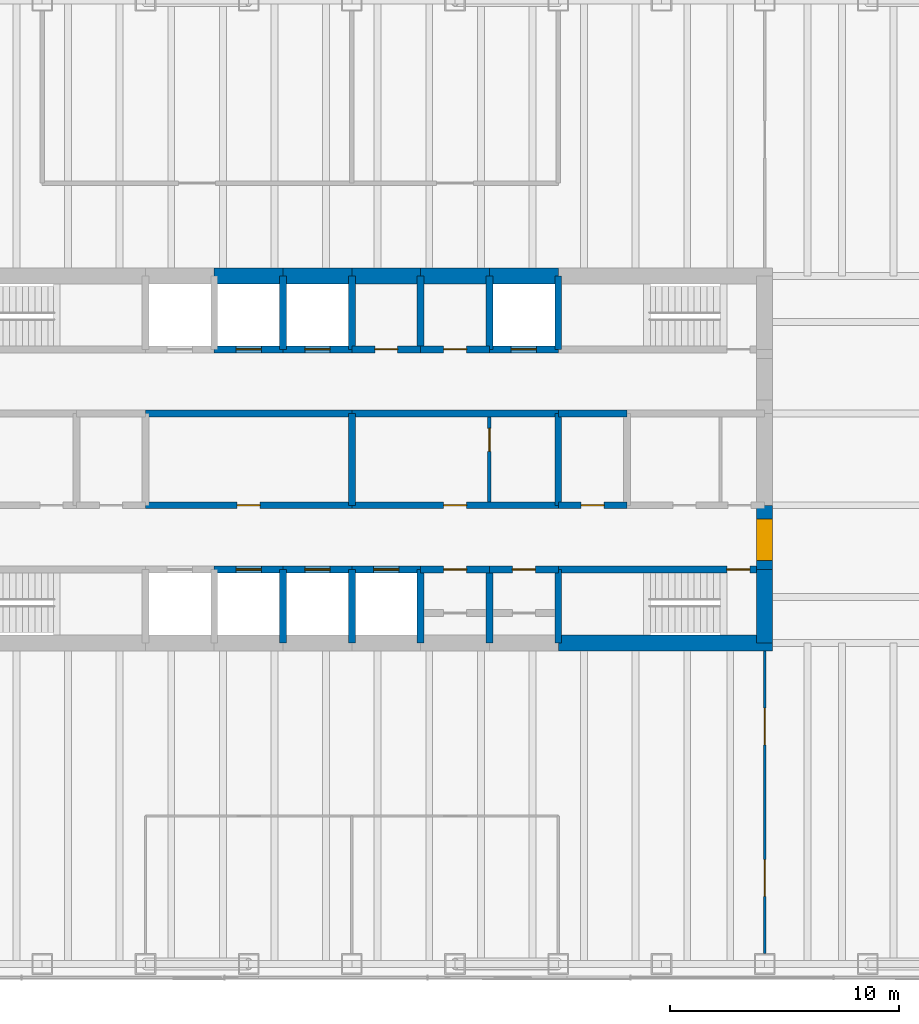
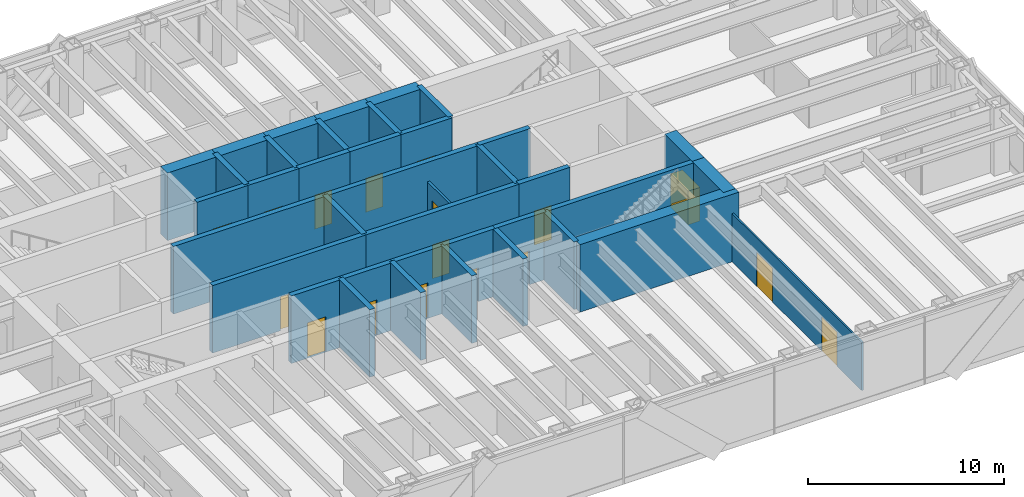
# One storey, part 12 of 15: 39 walls, 18 doors, 18 openings.
"""IFC4 building model written with IfcOpenShell, lengths in metres."""

from ifc_helpers import new_model, si_unit, direction, frame, frame_2d, origin, place, context, subcontext, project, spatial, rectangle, extrude, material, layer, layer_set, type_object, element, fill, save


model = new_model("IFC4")

# Units and contexts
model_context = context("Model", 3, precision=1e-05, world=origin(), true_north=direction((0.0, 1.0)))
body_context = subcontext(model_context, "Body", "Model", "MODEL_VIEW")
ifc_project = project(units=[si_unit("LENGTHUNIT", "METRE"), si_unit("AREAUNIT", "SQUARE_METRE"), si_unit("VOLUMEUNIT", "CUBIC_METRE"), si_unit("PLANEANGLEUNIT", "RADIAN"), si_unit("MASSUNIT", "GRAM", prefix="KILO")], contexts=[model_context])

# Site, building, storey
site_placement = place(None, origin())
site = spatial("IfcSite", under=ifc_project, at=site_placement, CompositionType="ELEMENT")
building_placement = place(site_placement, origin())
building = spatial("IfcBuilding", under=site, at=building_placement, Name="Rheinbord Bourse Tower", CompositionType="ELEMENT")
storey_placement = place(building_placement, frame((0.0, 0.0, 325.699951171875)))
storey = spatial("IfcBuildingStorey", under=building, at=storey_placement, Name="L74", CompositionType="ELEMENT", Elevation=325.699951171875)

# Wall, opening, door
ifc_material_1 = material(Name="Concrete C50/60", Category="concrete")
ifc_layer_1 = layer(ifc_material_1, 0.300048828125)
ifc_layer_set_1 = layer_set([ifc_layer_1], Name="CORE INNER WALL 300")
wall_type_1 = type_object("IfcWallType", Name="CORE INNER WALL 300", PredefinedType="SOLIDWALL", material=ifc_layer_set_1)
wall_1_placement = place(storey_placement, frame((30.0, 19.199951171875, 0.0), z_axis=(0.0, 0.0, 1.0), x_axis=(1.0, 0.0, 0.0)))
wall_1 = element("IfcWall", 1, at=wall_1_placement, inside=storey, type_object=wall_type_1, Name="Core wall A3 L74", PredefinedType="SOLIDWALL", context=body_context, shape_type="SweptSolid", body=[
    extrude(rectangle(XDim=3.0, YDim=0.300048828125, at=frame_2d((1.5, 0.0))), origin(), (0.0, 0.0, 1.0), 4.199951171875),
])
opening_1_placement = place(wall_1_placement, frame((0.949951171875, 0.0, 0.0)))
opening_1 = element("IfcOpeningElement", 2, at=opening_1_placement, cuts=wall_1, Name="Opening PD1", PredefinedType="OPENING", context=body_context, shape_type="SweptSolid", body=[
    extrude(rectangle(XDim=1.10009765625, YDim=2.199951171875, at=frame_2d((0.550048828125, 1.10009765625))), frame((0.0, 0.159912109375, 0.0), z_axis=(0.0, -1.0, 0.0), x_axis=(1.0, 0.0, 0.0)), (0.0, 0.0, 1.0), 0.320068359375),
])
ifc_material_2 = material(Name="Steel landing door", Category="steel")
door_type_1 = type_object("IfcDoorType", Name="LIFT LANDING DOOR 1100", OperationType="DOUBLE_DOOR_SLIDING", PredefinedType="USERDEFINED", material=ifc_material_2)
door_1_placement = place(opening_1_placement, origin())
door_1 = element("IfcDoor", 3, at=door_1_placement, inside=storey, type_object=door_type_1, Name="Lift landing door PD1 L74", ObjectType="LIFT LANDING DOOR", OperationType="DOUBLE_DOOR_SLIDING", OverallHeight=2.199951171875, OverallWidth=1.10009765625, PredefinedType="USERDEFINED", context=body_context, shape_type="SweptSolid", body=[
    extrude(rectangle(XDim=1.10009765625, YDim=2.199951171875, at=frame_2d((0.550048828125, 1.10009765625))), frame((0.0, 0.02490234375, 0.0), z_axis=(0.0, -1.0, 0.0), x_axis=(1.0, 0.0, 0.0)), (0.0, 0.0, 1.0), 0.050048828125),
])
fill(opening_1, door_1)

wall_2_placement = place(storey_placement, frame((33.0, 19.199951171875, 0.0), z_axis=(0.0, 0.0, 1.0), x_axis=(1.0, 0.0, 0.0)))
wall_2 = element("IfcWall", 4, at=wall_2_placement, inside=storey, type_object=wall_type_1, Name="Core wall A4 L74", PredefinedType="SOLIDWALL", context=body_context, shape_type="SweptSolid", body=[
    extrude(rectangle(XDim=3.0, YDim=0.300048828125, at=frame_2d((1.5, 0.0))), origin(), (0.0, 0.0, 1.0), 4.199951171875),
])
opening_2_placement = place(wall_2_placement, frame((0.949951171875, 0.0, 0.0)))
opening_2 = element("IfcOpeningElement", 5, at=opening_2_placement, cuts=wall_2, Name="Opening PD2", PredefinedType="OPENING", context=body_context, shape_type="SweptSolid", body=[
    extrude(rectangle(XDim=1.10009765625, YDim=2.199951171875, at=frame_2d((0.550048828125, 1.10009765625))), frame((0.0, 0.159912109375, 0.0), z_axis=(0.0, -1.0, 0.0), x_axis=(1.0, 0.0, 0.0)), (0.0, 0.0, 1.0), 0.320068359375),
])
door_2_placement = place(opening_2_placement, origin())
door_2 = element("IfcDoor", 6, at=door_2_placement, inside=storey, type_object=door_type_1, Name="Lift landing door PD2 L74", ObjectType="LIFT LANDING DOOR", OperationType="DOUBLE_DOOR_SLIDING", OverallHeight=2.199951171875, OverallWidth=1.10009765625, PredefinedType="USERDEFINED", context=body_context, shape_type="SweptSolid", body=[
    extrude(rectangle(XDim=1.10009765625, YDim=2.199951171875, at=frame_2d((0.550048828125, 1.10009765625))), frame((0.0, 0.02490234375, 0.0), z_axis=(0.0, -1.0, 0.0), x_axis=(1.0, 0.0, 0.0)), (0.0, 0.0, 1.0), 0.050048828125),
])
fill(opening_2, door_2)

wall_3_placement = place(storey_placement, frame((36.0, 19.199951171875, 0.0), z_axis=(0.0, 0.0, 1.0), x_axis=(1.0, 0.0, 0.0)))
wall_3 = element("IfcWall", 7, at=wall_3_placement, inside=storey, type_object=wall_type_1, Name="Core wall A5 L74", PredefinedType="SOLIDWALL", context=body_context, shape_type="SweptSolid", body=[
    extrude(rectangle(XDim=3.0, YDim=0.300048828125, at=frame_2d((1.5, 0.0))), origin(), (0.0, 0.0, 1.0), 4.199951171875),
])
opening_3_placement = place(wall_3_placement, frame((0.949951171875, 0.0, 0.0)))
opening_3 = element("IfcOpeningElement", 8, at=opening_3_placement, cuts=wall_3, Name="Opening PD3", PredefinedType="OPENING", context=body_context, shape_type="SweptSolid", body=[
    extrude(rectangle(XDim=1.10009765625, YDim=2.199951171875, at=frame_2d((0.550048828125, 1.10009765625))), frame((0.0, 0.159912109375, 0.0), z_axis=(0.0, -1.0, 0.0), x_axis=(1.0, 0.0, 0.0)), (0.0, 0.0, 1.0), 0.320068359375),
])
door_3_placement = place(opening_3_placement, origin())
door_3 = element("IfcDoor", 9, at=door_3_placement, inside=storey, type_object=door_type_1, Name="Lift landing door PD3 L74", ObjectType="LIFT LANDING DOOR", OperationType="DOUBLE_DOOR_SLIDING", OverallHeight=2.199951171875, OverallWidth=1.10009765625, PredefinedType="USERDEFINED", context=body_context, shape_type="SweptSolid", body=[
    extrude(rectangle(XDim=1.10009765625, YDim=2.199951171875, at=frame_2d((0.550048828125, 1.10009765625))), frame((0.0, 0.02490234375, 0.0), z_axis=(0.0, -1.0, 0.0), x_axis=(1.0, 0.0, 0.0)), (0.0, 0.0, 1.0), 0.050048828125),
])
fill(opening_3, door_3)

wall_4_placement = place(storey_placement, frame((39.0, 19.199951171875, 0.0), z_axis=(0.0, 0.0, 1.0), x_axis=(1.0, 0.0, 0.0)))
wall_4 = element("IfcWall", 10, at=wall_4_placement, inside=storey, type_object=wall_type_1, Name="Core wall A6 L74", PredefinedType="SOLIDWALL", context=body_context, shape_type="SweptSolid", body=[
    extrude(rectangle(XDim=3.0, YDim=0.300048828125, at=frame_2d((1.5, 0.0))), origin(), (0.0, 0.0, 1.0), 4.199951171875),
])
opening_4_placement = place(wall_4_placement, frame((1.0, 0.0, 0.0)))
opening_4 = element("IfcOpeningElement", 11, at=opening_4_placement, cuts=wall_4, Name="Opening 74R8", PredefinedType="OPENING", context=body_context, shape_type="SweptSolid", body=[
    extrude(rectangle(XDim=1.0, YDim=2.10009765625, at=frame_2d((0.5, 1.050048828125))), frame((0.0, 0.159912109375, 0.0), z_axis=(0.0, -1.0, 0.0), x_axis=(1.0, 0.0, 0.0)), (0.0, 0.0, 1.0), 0.320068359375),
])
ifc_material_3 = material(Name="Steel door", Category="steel")
door_type_2 = type_object("IfcDoorType", Name="DOOR 1000 EI30", OperationType="SINGLE_SWING_LEFT", PredefinedType="DOOR", material=ifc_material_3)
door_4_placement = place(opening_4_placement, origin())
door_4 = element("IfcDoor", 12, at=door_4_placement, inside=storey, type_object=door_type_2, Name="Pantry door L74", OperationType="SINGLE_SWING_LEFT", OverallHeight=2.10009765625, OverallWidth=1.0, PredefinedType="DOOR", context=body_context, shape_type="SweptSolid", body=[
    extrude(rectangle(XDim=1.0, YDim=2.10009765625, at=frame_2d((0.5, 1.050048828125))), frame((0.0, 0.02490234375, 0.0), z_axis=(0.0, -1.0, 0.0), x_axis=(1.0, 0.0, 0.0)), (0.0, 0.0, 1.0), 0.050048828125),
])
fill(opening_4, door_4)

wall_5_placement = place(storey_placement, frame((42.0, 19.199951171875, 0.0), z_axis=(0.0, 0.0, 1.0), x_axis=(1.0, 0.0, 0.0)))
wall_5 = element("IfcWall", 13, at=wall_5_placement, inside=storey, type_object=wall_type_1, Name="Core wall A7 L74", PredefinedType="SOLIDWALL", context=body_context, shape_type="SweptSolid", body=[
    extrude(rectangle(XDim=3.0, YDim=0.300048828125, at=frame_2d((1.5, 0.0))), origin(), (0.0, 0.0, 1.0), 4.199951171875),
])
opening_5_placement = place(wall_5_placement, frame((1.0, 0.0, 0.0)))
opening_5 = element("IfcOpeningElement", 14, at=opening_5_placement, cuts=wall_5, Name="Opening 74R9", PredefinedType="OPENING", context=body_context, shape_type="SweptSolid", body=[
    extrude(rectangle(XDim=1.0, YDim=2.10009765625, at=frame_2d((0.5, 1.050048828125))), frame((0.0, 0.159912109375, 0.0), z_axis=(0.0, -1.0, 0.0), x_axis=(1.0, 0.0, 0.0)), (0.0, 0.0, 1.0), 0.320068359375),
])
door_5_placement = place(opening_5_placement, origin())
door_5 = element("IfcDoor", 15, at=door_5_placement, inside=storey, type_object=door_type_2, Name="Archive store door L74", OperationType="SINGLE_SWING_LEFT", OverallHeight=2.10009765625, OverallWidth=1.0, PredefinedType="DOOR", context=body_context, shape_type="SweptSolid", body=[
    extrude(rectangle(XDim=1.0, YDim=2.10009765625, at=frame_2d((0.5, 1.050048828125))), frame((0.0, 0.02490234375, 0.0), z_axis=(0.0, -1.0, 0.0), x_axis=(1.0, 0.0, 0.0)), (0.0, 0.0, 1.0), 0.050048828125),
])
fill(opening_5, door_5)

wall_6_placement = place(storey_placement, frame((45.0, 19.199951171875, 0.0), z_axis=(0.0, 0.0, 1.0), x_axis=(1.0, 0.0, 0.0)))
wall_6 = element("IfcWall", 16, at=wall_6_placement, inside=storey, type_object=wall_type_1, Name="Core wall A8 L74", PredefinedType="SOLIDWALL", context=body_context, shape_type="SweptSolid", body=[
    extrude(rectangle(XDim=9.0, YDim=0.300048828125, at=frame_2d((4.5, 0.0))), origin(), (0.0, 0.0, 1.0), 4.199951171875),
])
opening_6_placement = place(wall_6_placement, frame((7.35009765625, 0.0, 0.0)))
opening_6 = element("IfcOpeningElement", 17, at=opening_6_placement, cuts=wall_6, Name="Opening 7430", PredefinedType="OPENING", context=body_context, shape_type="SweptSolid", body=[
    extrude(rectangle(XDim=1.0, YDim=2.10009765625, at=frame_2d((0.5, 1.050048828125))), frame((0.0, 0.159912109375, 0.0), z_axis=(0.0, -1.0, 0.0), x_axis=(1.0, 0.0, 0.0)), (0.0, 0.0, 1.0), 0.320068359375),
])
door_6_placement = place(opening_6_placement, origin())
door_6 = element("IfcDoor", 18, at=door_6_placement, inside=storey, type_object=door_type_2, Name="Stair door ST3 L74", OperationType="SINGLE_SWING_RIGHT", OverallHeight=2.10009765625, OverallWidth=1.0, PredefinedType="DOOR", context=body_context, shape_type="SweptSolid", body=[
    extrude(rectangle(XDim=1.0, YDim=2.10009765625, at=frame_2d((0.5, 1.050048828125))), frame((0.0, 0.02490234375, 0.0), z_axis=(0.0, -1.0, 0.0), x_axis=(1.0, 0.0, 0.0)), (0.0, 0.0, 1.0), 0.050048828125),
])
fill(opening_6, door_6)

wall_7_placement = place(storey_placement, frame((30.0, 28.800048828125, 0.0), z_axis=(0.0, 0.0, 1.0), x_axis=(1.0, 0.0, 0.0)))
wall_7 = element("IfcWall", 19, at=wall_7_placement, inside=storey, type_object=wall_type_1, Name="Core wall B3 L74", PredefinedType="SOLIDWALL", context=body_context, shape_type="SweptSolid", body=[
    extrude(rectangle(XDim=3.0, YDim=0.300048828125, at=frame_2d((1.5, 0.0))), origin(), (0.0, 0.0, 1.0), 4.199951171875),
])
opening_7_placement = place(wall_7_placement, frame((0.949951171875, 0.0, 0.0)))
opening_7 = element("IfcOpeningElement", 20, at=opening_7_placement, cuts=wall_7, Name="Opening PD4", PredefinedType="OPENING", context=body_context, shape_type="SweptSolid", body=[
    extrude(rectangle(XDim=1.10009765625, YDim=2.199951171875, at=frame_2d((0.550048828125, 1.10009765625))), frame((0.0, 0.159912109375, 0.0), z_axis=(0.0, -1.0, 0.0), x_axis=(1.0, 0.0, 0.0)), (0.0, 0.0, 1.0), 0.320068359375),
])
door_7_placement = place(opening_7_placement, origin())
door_7 = element("IfcDoor", 21, at=door_7_placement, inside=storey, type_object=door_type_1, Name="Lift landing door PD4 L74", ObjectType="LIFT LANDING DOOR", OperationType="DOUBLE_DOOR_SLIDING", OverallHeight=2.199951171875, OverallWidth=1.10009765625, PredefinedType="USERDEFINED", context=body_context, shape_type="SweptSolid", body=[
    extrude(rectangle(XDim=1.10009765625, YDim=2.199951171875, at=frame_2d((0.550048828125, 1.10009765625))), frame((0.0, 0.02490234375, 0.0), z_axis=(0.0, -1.0, 0.0), x_axis=(1.0, 0.0, 0.0)), (0.0, 0.0, 1.0), 0.050048828125),
])
fill(opening_7, door_7)

wall_8_placement = place(storey_placement, frame((33.0, 28.800048828125, 0.0), z_axis=(0.0, 0.0, 1.0), x_axis=(1.0, 0.0, 0.0)))
wall_8 = element("IfcWall", 22, at=wall_8_placement, inside=storey, type_object=wall_type_1, Name="Core wall B4 L74", PredefinedType="SOLIDWALL", context=body_context, shape_type="SweptSolid", body=[
    extrude(rectangle(XDim=3.0, YDim=0.300048828125, at=frame_2d((1.5, 0.0))), origin(), (0.0, 0.0, 1.0), 4.199951171875),
])
opening_8_placement = place(wall_8_placement, frame((0.949951171875, 0.0, 0.0)))
opening_8 = element("IfcOpeningElement", 23, at=opening_8_placement, cuts=wall_8, Name="Opening PD5", PredefinedType="OPENING", context=body_context, shape_type="SweptSolid", body=[
    extrude(rectangle(XDim=1.10009765625, YDim=2.199951171875, at=frame_2d((0.550048828125, 1.10009765625))), frame((0.0, 0.159912109375, 0.0), z_axis=(0.0, -1.0, 0.0), x_axis=(1.0, 0.0, 0.0)), (0.0, 0.0, 1.0), 0.320068359375),
])
door_8_placement = place(opening_8_placement, origin())
door_8 = element("IfcDoor", 24, at=door_8_placement, inside=storey, type_object=door_type_1, Name="Lift landing door PD5 L74", ObjectType="LIFT LANDING DOOR", OperationType="DOUBLE_DOOR_SLIDING", OverallHeight=2.199951171875, OverallWidth=1.10009765625, PredefinedType="USERDEFINED", context=body_context, shape_type="SweptSolid", body=[
    extrude(rectangle(XDim=1.10009765625, YDim=2.199951171875, at=frame_2d((0.550048828125, 1.10009765625))), frame((0.0, 0.02490234375, 0.0), z_axis=(0.0, -1.0, 0.0), x_axis=(1.0, 0.0, 0.0)), (0.0, 0.0, 1.0), 0.050048828125),
])
fill(opening_8, door_8)

wall_9_placement = place(storey_placement, frame((36.0, 28.800048828125, 0.0), z_axis=(0.0, 0.0, 1.0), x_axis=(1.0, 0.0, 0.0)))
wall_9 = element("IfcWall", 25, at=wall_9_placement, inside=storey, type_object=wall_type_1, Name="Core wall B5 L74", PredefinedType="SOLIDWALL", context=body_context, shape_type="SweptSolid", body=[
    extrude(rectangle(XDim=3.0, YDim=0.300048828125, at=frame_2d((1.5, 0.0))), origin(), (0.0, 0.0, 1.0), 4.199951171875),
])
opening_9_placement = place(wall_9_placement, frame((1.0, 0.0, 0.0)))
opening_9 = element("IfcOpeningElement", 26, at=opening_9_placement, cuts=wall_9, Name="Opening 74R10", PredefinedType="OPENING", context=body_context, shape_type="SweptSolid", body=[
    extrude(rectangle(XDim=1.0, YDim=2.10009765625, at=frame_2d((0.5, 1.050048828125))), frame((0.0, 0.159912109375, 0.0), z_axis=(0.0, -1.0, 0.0), x_axis=(1.0, 0.0, 0.0)), (0.0, 0.0, 1.0), 0.320068359375),
])
door_9_placement = place(opening_9_placement, origin())
door_9 = element("IfcDoor", 27, at=door_9_placement, inside=storey, type_object=door_type_2, Name="Mail room door L74", OperationType="SINGLE_SWING_LEFT", OverallHeight=2.10009765625, OverallWidth=1.0, PredefinedType="DOOR", context=body_context, shape_type="SweptSolid", body=[
    extrude(rectangle(XDim=1.0, YDim=2.10009765625, at=frame_2d((0.5, 1.050048828125))), frame((0.0, 0.02490234375, 0.0), z_axis=(0.0, -1.0, 0.0), x_axis=(1.0, 0.0, 0.0)), (0.0, 0.0, 1.0), 0.050048828125),
])
fill(opening_9, door_9)

wall_10_placement = place(storey_placement, frame((39.0, 28.800048828125, 0.0), z_axis=(0.0, 0.0, 1.0), x_axis=(1.0, 0.0, 0.0)))
wall_10 = element("IfcWall", 28, at=wall_10_placement, inside=storey, type_object=wall_type_1, Name="Core wall B6 L74", PredefinedType="SOLIDWALL", context=body_context, shape_type="SweptSolid", body=[
    extrude(rectangle(XDim=3.0, YDim=0.300048828125, at=frame_2d((1.5, 0.0))), origin(), (0.0, 0.0, 1.0), 4.199951171875),
])
opening_10_placement = place(wall_10_placement, frame((1.0, 0.0, 0.0)))
opening_10 = element("IfcOpeningElement", 29, at=opening_10_placement, cuts=wall_10, Name="Opening 74R11", PredefinedType="OPENING", context=body_context, shape_type="SweptSolid", body=[
    extrude(rectangle(XDim=1.0, YDim=2.10009765625, at=frame_2d((0.5, 1.050048828125))), frame((0.0, 0.159912109375, 0.0), z_axis=(0.0, -1.0, 0.0), x_axis=(1.0, 0.0, 0.0)), (0.0, 0.0, 1.0), 0.320068359375),
])
door_10_placement = place(opening_10_placement, origin())
door_10 = element("IfcDoor", 30, at=door_10_placement, inside=storey, type_object=door_type_2, Name="Stationery store door L74", OperationType="SINGLE_SWING_LEFT", OverallHeight=2.10009765625, OverallWidth=1.0, PredefinedType="DOOR", context=body_context, shape_type="SweptSolid", body=[
    extrude(rectangle(XDim=1.0, YDim=2.10009765625, at=frame_2d((0.5, 1.050048828125))), frame((0.0, 0.02490234375, 0.0), z_axis=(0.0, -1.0, 0.0), x_axis=(1.0, 0.0, 0.0)), (0.0, 0.0, 1.0), 0.050048828125),
])
fill(opening_10, door_10)

wall_11_placement = place(storey_placement, frame((42.0, 28.800048828125, 0.0), z_axis=(0.0, 0.0, 1.0), x_axis=(1.0, 0.0, 0.0)))
wall_11 = element("IfcWall", 31, at=wall_11_placement, inside=storey, type_object=wall_type_1, Name="Core wall B7 L74", PredefinedType="SOLIDWALL", context=body_context, shape_type="SweptSolid", body=[
    extrude(rectangle(XDim=3.0, YDim=0.300048828125, at=frame_2d((1.5, 0.0))), origin(), (0.0, 0.0, 1.0), 4.199951171875),
])
opening_11_placement = place(wall_11_placement, frame((0.949951171875, 0.0, 0.0)))
opening_11 = element("IfcOpeningElement", 32, at=opening_11_placement, cuts=wall_11, Name="Opening FL2", PredefinedType="OPENING", context=body_context, shape_type="SweptSolid", body=[
    extrude(rectangle(XDim=1.10009765625, YDim=2.199951171875, at=frame_2d((0.550048828125, 1.10009765625))), frame((0.0, 0.159912109375, 0.0), z_axis=(0.0, -1.0, 0.0), x_axis=(1.0, 0.0, 0.0)), (0.0, 0.0, 1.0), 0.320068359375),
])
door_11_placement = place(opening_11_placement, origin())
door_11 = element("IfcDoor", 33, at=door_11_placement, inside=storey, type_object=door_type_1, Name="Lift landing door FL2 L74", ObjectType="LIFT LANDING DOOR", OperationType="DOUBLE_DOOR_SLIDING", OverallHeight=2.199951171875, OverallWidth=1.10009765625, PredefinedType="USERDEFINED", context=body_context, shape_type="SweptSolid", body=[
    extrude(rectangle(XDim=1.10009765625, YDim=2.199951171875, at=frame_2d((0.550048828125, 1.10009765625))), frame((0.0, 0.02490234375, 0.0), z_axis=(0.0, -1.0, 0.0), x_axis=(1.0, 0.0, 0.0)), (0.0, 0.0, 1.0), 0.050048828125),
])
fill(opening_11, door_11)

wall_12_placement = place(storey_placement, frame((27.0, 22.0, 0.0), z_axis=(0.0, 0.0, 1.0), x_axis=(1.0, 0.0, 0.0)))
wall_12 = element("IfcWall", 34, at=wall_12_placement, inside=storey, type_object=wall_type_1, Name="Core wall C3 L74", PredefinedType="SOLIDWALL", context=body_context, shape_type="SweptSolid", body=[
    extrude(rectangle(XDim=9.0, YDim=0.300048828125, at=frame_2d((4.5, 0.0))), origin(), (0.0, 0.0, 1.0), 4.199951171875),
])
opening_12_placement = place(wall_12_placement, frame((4.0, 0.0, 0.0)))
opening_12 = element("IfcOpeningElement", 35, at=opening_12_placement, cuts=wall_12, Name="Opening 74R3", PredefinedType="OPENING", context=body_context, shape_type="SweptSolid", body=[
    extrude(rectangle(XDim=1.0, YDim=2.10009765625, at=frame_2d((0.5, 1.050048828125))), frame((0.0, 0.159912109375, 0.0), z_axis=(0.0, -1.0, 0.0), x_axis=(1.0, 0.0, 0.0)), (0.0, 0.0, 1.0), 0.320068359375),
])
door_12_placement = place(opening_12_placement, origin())
door_12 = element("IfcDoor", 36, at=door_12_placement, inside=storey, type_object=door_type_2, Name="Riser door L74", OperationType="SINGLE_SWING_LEFT", OverallHeight=2.10009765625, OverallWidth=1.0, PredefinedType="DOOR", context=body_context, shape_type="SweptSolid", body=[
    extrude(rectangle(XDim=1.0, YDim=2.10009765625, at=frame_2d((0.5, 1.050048828125))), frame((0.0, 0.02490234375, 0.0), z_axis=(0.0, -1.0, 0.0), x_axis=(1.0, 0.0, 0.0)), (0.0, 0.0, 1.0), 0.050048828125),
])
fill(opening_12, door_12)

wall_13_placement = place(storey_placement, frame((36.0, 22.0, 0.0), z_axis=(0.0, 0.0, 1.0), x_axis=(1.0, 0.0, 0.0)))
wall_13 = element("IfcWall", 37, at=wall_13_placement, inside=storey, type_object=wall_type_1, Name="Core wall C4 L74", PredefinedType="SOLIDWALL", context=body_context, shape_type="SweptSolid", body=[
    extrude(rectangle(XDim=9.0, YDim=0.300048828125, at=frame_2d((4.5, 0.0))), origin(), (0.0, 0.0, 1.0), 4.199951171875),
])
opening_13_placement = place(wall_13_placement, frame((4.0, 0.0, 0.0)))
opening_13 = element("IfcOpeningElement", 38, at=opening_13_placement, cuts=wall_13, Name="Opening 74R4", PredefinedType="OPENING", context=body_context, shape_type="SweptSolid", body=[
    extrude(rectangle(XDim=1.0, YDim=2.10009765625, at=frame_2d((0.5, 1.050048828125))), frame((0.0, 0.159912109375, 0.0), z_axis=(0.0, -1.0, 0.0), x_axis=(1.0, 0.0, 0.0)), (0.0, 0.0, 1.0), 0.320068359375),
])
door_13_placement = place(opening_13_placement, origin())
door_13 = element("IfcDoor", 39, at=door_13_placement, inside=storey, type_object=door_type_2, Name="IT room door L74", OperationType="SINGLE_SWING_LEFT", OverallHeight=2.10009765625, OverallWidth=1.0, PredefinedType="DOOR", context=body_context, shape_type="SweptSolid", body=[
    extrude(rectangle(XDim=1.0, YDim=2.10009765625, at=frame_2d((0.5, 1.050048828125))), frame((0.0, 0.02490234375, 0.0), z_axis=(0.0, -1.0, 0.0), x_axis=(1.0, 0.0, 0.0)), (0.0, 0.0, 1.0), 0.050048828125),
])
fill(opening_13, door_13)

wall_14_placement = place(storey_placement, frame((45.0, 22.0, 0.0), z_axis=(0.0, 0.0, 1.0), x_axis=(1.0, 0.0, 0.0)))
wall_14 = element("IfcWall", 40, at=wall_14_placement, inside=storey, type_object=wall_type_1, Name="Core wall C5 L74", PredefinedType="SOLIDWALL", context=body_context, shape_type="SweptSolid", body=[
    extrude(rectangle(XDim=3.0, YDim=0.300048828125, at=frame_2d((1.5, 0.0))), origin(), (0.0, 0.0, 1.0), 4.199951171875),
])
opening_14_placement = place(wall_14_placement, frame((1.0, 0.0, 0.0)))
opening_14 = element("IfcOpeningElement", 41, at=opening_14_placement, cuts=wall_14, Name="Opening 74R5", PredefinedType="OPENING", context=body_context, shape_type="SweptSolid", body=[
    extrude(rectangle(XDim=1.0, YDim=2.10009765625, at=frame_2d((0.5, 1.050048828125))), frame((0.0, 0.159912109375, 0.0), z_axis=(0.0, -1.0, 0.0), x_axis=(1.0, 0.0, 0.0)), (0.0, 0.0, 1.0), 0.320068359375),
])
ifc_material_4 = material(Name="Timber door", Category="wood")
door_type_3 = type_object("IfcDoorType", Name="DOOR 1000 WC", OperationType="SINGLE_SWING_LEFT", PredefinedType="DOOR", material=ifc_material_4)
door_14_placement = place(opening_14_placement, origin())
door_14 = element("IfcDoor", 42, at=door_14_placement, inside=storey, type_object=door_type_3, Name="Accessible WC door L74", OperationType="SINGLE_SWING_LEFT", OverallHeight=2.10009765625, OverallWidth=1.0, PredefinedType="DOOR", context=body_context, shape_type="SweptSolid", body=[
    extrude(rectangle(XDim=1.0, YDim=2.10009765625, at=frame_2d((0.5, 1.050048828125))), frame((0.0, 0.02490234375, 0.0), z_axis=(0.0, -1.0, 0.0), x_axis=(1.0, 0.0, 0.0)), (0.0, 0.0, 1.0), 0.050048828125),
])
fill(opening_14, door_14)

# Walls
for number, where, z_axis, x_axis, name in (
    (43, (27.0, 26.0, 0.0), (0.0, 0.0, 1.0), (1.0, 0.0, 0.0), "Core wall D3 L74"),
    (44, (36.0, 26.0, 0.0), (0.0, 0.0, 1.0), (1.0, 0.0, 0.0), "Core wall D4 L74"),
):
    element("IfcWall", number, at=place(storey_placement, frame(where, z_axis=z_axis, x_axis=x_axis)), inside=storey, type_object=wall_type_1, Name=name, PredefinedType="SOLIDWALL", context=body_context, shape_type="SweptSolid", body=[
        extrude(rectangle(XDim=9.0, YDim=0.300048828125, at=frame_2d((4.5, 0.0))), origin(), (0.0, 0.0, 1.0), 4.199951171875),
    ])
wall_15_placement = place(storey_placement, frame((45.0, 26.0, 0.0), z_axis=(0.0, 0.0, 1.0), x_axis=(1.0, 0.0, 0.0)))
element("IfcWall", 45, at=wall_15_placement, inside=storey, type_object=wall_type_1, Name="Core wall D5 L74", PredefinedType="SOLIDWALL", context=body_context, shape_type="SweptSolid", body=[
    extrude(rectangle(XDim=3.0, YDim=0.300048828125, at=frame_2d((1.5, 0.0))), origin(), (0.0, 0.0, 1.0), 4.199951171875),
])
for number, where, z_axis, x_axis, name in (
    (46, (33.0, 16.0, 0.0), (0.0, 0.0, 1.0), (0.0, 1.0, 0.0), "Core wall SX33 L74"),
    (47, (33.0, 28.800048828125, 0.0), (0.0, 0.0, 1.0), (0.0, 1.0, 0.0), "Core wall NX33 L74"),
    (48, (36.0, 16.0, 0.0), (0.0, 0.0, 1.0), (0.0, 1.0, 0.0), "Core wall SX36 L74"),
    (49, (36.0, 28.800048828125, 0.0), (0.0, 0.0, 1.0), (0.0, 1.0, 0.0), "Core wall NX36 L74"),
    (50, (39.0, 16.0, 0.0), (0.0, 0.0, 1.0), (0.0, 1.0, 0.0), "Core wall SX39 L74"),
    (51, (39.0, 28.800048828125, 0.0), (0.0, 0.0, 1.0), (0.0, 1.0, 0.0), "Core wall NX39 L74"),
    (52, (42.0, 16.0, 0.0), (0.0, 0.0, 1.0), (0.0, 1.0, 0.0), "Core wall SX42 L74"),
    (53, (42.0, 28.800048828125, 0.0), (0.0, 0.0, 1.0), (0.0, 1.0, 0.0), "Core wall NX42 L74"),
    (54, (45.0, 16.0, 0.0), (0.0, 0.0, 1.0), (0.0, 1.0, 0.0), "Core wall SX45 L74"),
    (55, (45.0, 28.800048828125, 0.0), (0.0, 0.0, 1.0), (0.0, 1.0, 0.0), "Core wall NX45 L74"),
):
    element("IfcWall", number, at=place(storey_placement, frame(where, z_axis=z_axis, x_axis=x_axis)), inside=storey, type_object=wall_type_1, Name=name, PredefinedType="SOLIDWALL", context=body_context, shape_type="SweptSolid", body=[
        extrude(rectangle(XDim=3.199951171875, YDim=0.300048828125, at=frame_2d((1.60009765625, 0.0))), origin(), (0.0, 0.0, 1.0), 4.199951171875),
    ])
for number, where, z_axis, x_axis, name in (
    (56, (36.0, 22.0, 0.0), (0.0, 0.0, 1.0), (0.0, 1.0, 0.0), "Core wall MX36 L74"),
    (57, (45.0, 22.0, 0.0), (0.0, 0.0, 1.0), (0.0, 1.0, 0.0), "Core wall MX45 L74"),
):
    element("IfcWall", number, at=place(storey_placement, frame(where, z_axis=z_axis, x_axis=x_axis)), inside=storey, type_object=wall_type_1, Name=name, PredefinedType="SOLIDWALL", context=body_context, shape_type="SweptSolid", body=[
        extrude(rectangle(XDim=4.0, YDim=0.300048828125, at=frame_2d((2.0, 0.0))), origin(), (0.0, 0.0, 1.0), 4.199951171875),
    ])

# Wall, opening, door
ifc_material_5 = material(Name="Gypsum board fire partition", Category="gypsum board")
ifc_layer_2 = layer(ifc_material_5, 0.14990234375)
ifc_layer_set_2 = layer_set([ifc_layer_2], Name="CORE PARTITION 150 EI30")
wall_type_2 = type_object("IfcWallType", Name="CORE PARTITION 150 EI30", PredefinedType="PARTITIONING", material=ifc_layer_set_2)
wall_16_placement = place(storey_placement, frame((42.0, 22.14990234375, 0.0), z_axis=(0.0, 0.0, 1.0), x_axis=(0.0, 1.0, 0.0)))
wall_16 = element("IfcWall", 58, at=wall_16_placement, inside=storey, type_object=wall_type_2, Name="Core partition L74-1", PredefinedType="PARTITIONING", context=body_context, shape_type="SweptSolid", body=[
    extrude(rectangle(XDim=3.7001953125, YDim=0.14990234375, at=frame_2d((1.85009765625, 0.0))), origin(), (0.0, 0.0, 1.0), 3.0),
])
opening_15_placement = place(wall_16_placement, frame((2.199951171875, 0.0, 0.0)))
opening_15 = element("IfcOpeningElement", 59, at=opening_15_placement, cuts=wall_16, Name="Opening 74R7", PredefinedType="OPENING", context=body_context, shape_type="SweptSolid", body=[
    extrude(rectangle(XDim=1.0, YDim=2.10009765625, at=frame_2d((0.5, 1.050048828125))), frame((0.0, 0.0849609375, 0.0), z_axis=(0.0, -1.0, 0.0), x_axis=(1.0, 0.0, 0.0)), (0.0, 0.0, 1.0), 0.169921875),
])
door_15_placement = place(opening_15_placement, origin())
door_15 = element("IfcDoor", 60, at=door_15_placement, inside=storey, type_object=door_type_2, Name="Store door L74", OperationType="SINGLE_SWING_RIGHT", OverallHeight=2.10009765625, OverallWidth=1.0, PredefinedType="DOOR", context=body_context, shape_type="SweptSolid", body=[
    extrude(rectangle(XDim=1.0, YDim=2.10009765625, at=frame_2d((0.5, 1.050048828125))), frame((0.0, 0.02490234375, 0.0), z_axis=(0.0, -1.0, 0.0), x_axis=(1.0, 0.0, 0.0)), (0.0, 0.0, 1.0), 0.050048828125),
])
fill(opening_15, door_15)

# Walls
ifc_material_6 = material(Name="Concrete C50/60", Category="concrete")
ifc_layer_3 = layer(ifc_material_6, 0.699951171875)
ifc_layer_set_3 = layer_set([ifc_layer_3], Name="CORE WALL 700")
wall_type_3 = type_object("IfcWallType", Name="CORE WALL 700", PredefinedType="SHEAR", material=ifc_layer_set_3)
wall_17_placement = place(storey_placement, frame((45.0, 16.0, 0.0), z_axis=(0.0, 0.0, 1.0), x_axis=(1.0, 0.0, 0.0)))
element("IfcWall", 61, at=wall_17_placement, inside=storey, type_object=wall_type_3, Name="Core wall S8 L74", PredefinedType="SHEAR", context=body_context, shape_type="SweptSolid", body=[
    extrude(rectangle(XDim=9.35009765625, YDim=0.699951171875, at=frame_2d((4.675048828125, 0.0))), origin(), (0.0, 0.0, 1.0), 4.199951171875),
])
for number, where, z_axis, x_axis, name in (
    (62, (45.0, 32.0, 0.0), (0.0, 0.0, 1.0), (-1.0, 0.0, 0.0), "Core wall N2 L74"),
    (63, (42.0, 32.0, 0.0), (0.0, 0.0, 1.0), (-1.0, 0.0, 0.0), "Core wall N3 L74"),
    (64, (39.0, 32.0, 0.0), (0.0, 0.0, 1.0), (-1.0, 0.0, 0.0), "Core wall N4 L74"),
    (65, (36.0, 32.0, 0.0), (0.0, 0.0, 1.0), (-1.0, 0.0, 0.0), "Core wall N5 L74"),
    (66, (33.0, 32.0, 0.0), (0.0, 0.0, 1.0), (-1.0, 0.0, 0.0), "Core wall N6 L74"),
):
    element("IfcWall", number, at=place(storey_placement, frame(where, z_axis=z_axis, x_axis=x_axis)), inside=storey, type_object=wall_type_3, Name=name, PredefinedType="SHEAR", context=body_context, shape_type="SweptSolid", body=[
        extrude(rectangle(XDim=3.0, YDim=0.699951171875, at=frame_2d((1.5, 0.0))), origin(), (0.0, 0.0, 1.0), 4.199951171875),
    ])
wall_18_placement = place(storey_placement, frame((54.0, 16.0, 0.0), z_axis=(0.0, 0.0, 1.0), x_axis=(0.0, 1.0, 0.0)))
element("IfcWall", 67, at=wall_18_placement, inside=storey, type_object=wall_type_3, Name="Core wall E1 L74", PredefinedType="SHEAR", context=body_context, shape_type="SweptSolid", body=[
    extrude(rectangle(XDim=3.199951171875, YDim=0.699951171875, at=frame_2d((1.60009765625, 0.0))), origin(), (0.0, 0.0, 1.0), 4.199951171875),
])

# Wall, opening, door
wall_19_placement = place(storey_placement, frame((54.0, 19.199951171875, 0.0), z_axis=(0.0, 0.0, 1.0), x_axis=(0.0, 1.0, 0.0)))
wall_19 = element("IfcWall", 68, at=wall_19_placement, inside=storey, type_object=wall_type_3, Name="Core wall E2 L74", PredefinedType="SHEAR", context=body_context, shape_type="SweptSolid", body=[
    extrude(rectangle(XDim=2.800048828125, YDim=0.699951171875, at=frame_2d((1.39990234375, 0.0))), origin(), (0.0, 0.0, 1.0), 4.199951171875),
])
opening_16_placement = place(wall_19_placement, frame((0.39990234375, 0.0, 0.0)))
opening_16 = element("IfcOpeningElement", 69, at=opening_16_placement, cuts=wall_19, Name="Opening 74L3", PredefinedType="OPENING", context=body_context, shape_type="SweptSolid", body=[
    extrude(rectangle(XDim=1.800048828125, YDim=2.10009765625, at=frame_2d((0.89990234375, 1.050048828125))), frame((0.0, 0.35986328125, 0.0), z_axis=(0.0, -1.0, 0.0), x_axis=(1.0, 0.0, 0.0)), (0.0, 0.0, 1.0), 0.719970703125),
])
ifc_material_7 = material(Name="Steel door", Category="steel")
door_type_4 = type_object("IfcDoorType", Name="DOOR 1800 EI30 DOUBLE", OperationType="DOUBLE_DOOR_DOUBLE_SWING", PredefinedType="DOOR", material=ifc_material_7)
door_16_placement = place(opening_16_placement, origin())
door_16 = element("IfcDoor", 70, at=door_16_placement, inside=storey, type_object=door_type_4, Name="Lobby door 3 L74", OperationType="SINGLE_SWING_LEFT", OverallHeight=2.10009765625, OverallWidth=1.800048828125, PredefinedType="DOOR", context=body_context, shape_type="SweptSolid", body=[
    extrude(rectangle(XDim=1.800048828125, YDim=2.10009765625, at=frame_2d((0.89990234375, 1.050048828125))), frame((0.0, 0.349609375, 0.0), z_axis=(0.0, -1.0, 0.0), x_axis=(1.0, 0.0, 0.0)), (0.0, 0.0, 1.0), 0.699462890625),
])
fill(opening_16, door_16)

# Wall, openings, doors
ifc_material_8 = material(Name="Toughened laminated glass partition", Category="glass")
ifc_layer_4 = layer(ifc_material_8, 0.10009765625)
ifc_layer_set_4 = layer_set([ifc_layer_4], Name="GLAZED PARTITION 100")
wall_type_4 = type_object("IfcWallType", Name="GLAZED PARTITION 100", PredefinedType="PARTITIONING", material=ifc_layer_set_4)
wall_20_placement = place(storey_placement, frame((54.0, 2.449951171875, 0.0), z_axis=(0.0, 0.0, 1.0), x_axis=(0.0, 1.0, 0.0)))
wall_20 = element("IfcWall", 71, at=wall_20_placement, inside=storey, type_object=wall_type_4, Name="Partition L74-20", PredefinedType="PARTITIONING", context=body_context, shape_type="SweptSolid", body=[
    extrude(rectangle(XDim=13.199951171875, YDim=0.10009765625, at=frame_2d((6.60009765625, 0.0))), origin(), (0.0, 0.0, 1.0), 3.0),
])
opening_17_placement = place(wall_20_placement, frame((2.5, 0.0, 0.0)))
opening_17 = element("IfcOpeningElement", 72, at=opening_17_placement, cuts=wall_20, Name="Opening 74D12", PredefinedType="OPENING", context=body_context, shape_type="SweptSolid", body=[
    extrude(rectangle(XDim=1.60009765625, YDim=2.10009765625, at=frame_2d((0.800048828125, 1.050048828125))), frame((0.0, 0.06005859375, 0.0), z_axis=(0.0, -1.0, 0.0), x_axis=(1.0, 0.0, 0.0)), (0.0, 0.0, 1.0), 0.1201171875),
])
opening_18_placement = place(wall_20_placement, frame((9.10009765625, 0.0, 0.0)))
opening_18 = element("IfcOpeningElement", 73, at=opening_18_placement, cuts=wall_20, Name="Opening 74D13", PredefinedType="OPENING", context=body_context, shape_type="SweptSolid", body=[
    extrude(rectangle(XDim=1.60009765625, YDim=2.10009765625, at=frame_2d((0.800048828125, 1.050048828125))), frame((0.0, 0.06005859375, 0.0), z_axis=(0.0, -1.0, 0.0), x_axis=(1.0, 0.0, 0.0)), (0.0, 0.0, 1.0), 0.1201171875),
])
ifc_material_9 = material(Name="Timber door", Category="wood")
door_type_5 = type_object("IfcDoorType", Name="DOUBLE ROOM DOOR 1600", OperationType="DOUBLE_DOOR_DOUBLE_SWING", PredefinedType="DOOR", material=ifc_material_9)
door_17_placement = place(opening_17_placement, origin())
door_17 = element("IfcDoor", 74, at=door_17_placement, inside=storey, type_object=door_type_5, Name="Open area door L74", OperationType="SINGLE_SWING_LEFT", OverallHeight=2.10009765625, OverallWidth=1.60009765625, PredefinedType="DOOR", context=body_context, shape_type="SweptSolid", body=[
    extrude(rectangle(XDim=1.60009765625, YDim=2.10009765625, at=frame_2d((0.800048828125, 1.050048828125))), frame((0.0, 0.02490234375, 0.0), z_axis=(0.0, -1.0, 0.0), x_axis=(1.0, 0.0, 0.0)), (0.0, 0.0, 1.0), 0.050048828125),
])
fill(opening_17, door_17)
door_18_placement = place(opening_18_placement, origin())
door_18 = element("IfcDoor", 75, at=door_18_placement, inside=storey, type_object=door_type_5, Name="Open area door L74", OperationType="SINGLE_SWING_LEFT", OverallHeight=2.10009765625, OverallWidth=1.60009765625, PredefinedType="DOOR", context=body_context, shape_type="SweptSolid", body=[
    extrude(rectangle(XDim=1.60009765625, YDim=2.10009765625, at=frame_2d((0.800048828125, 1.050048828125))), frame((0.0, 0.02490234375, 0.0), z_axis=(0.0, -1.0, 0.0), x_axis=(1.0, 0.0, 0.0)), (0.0, 0.0, 1.0), 0.050048828125),
])
fill(opening_18, door_18)

save(model, "model.ifc")
